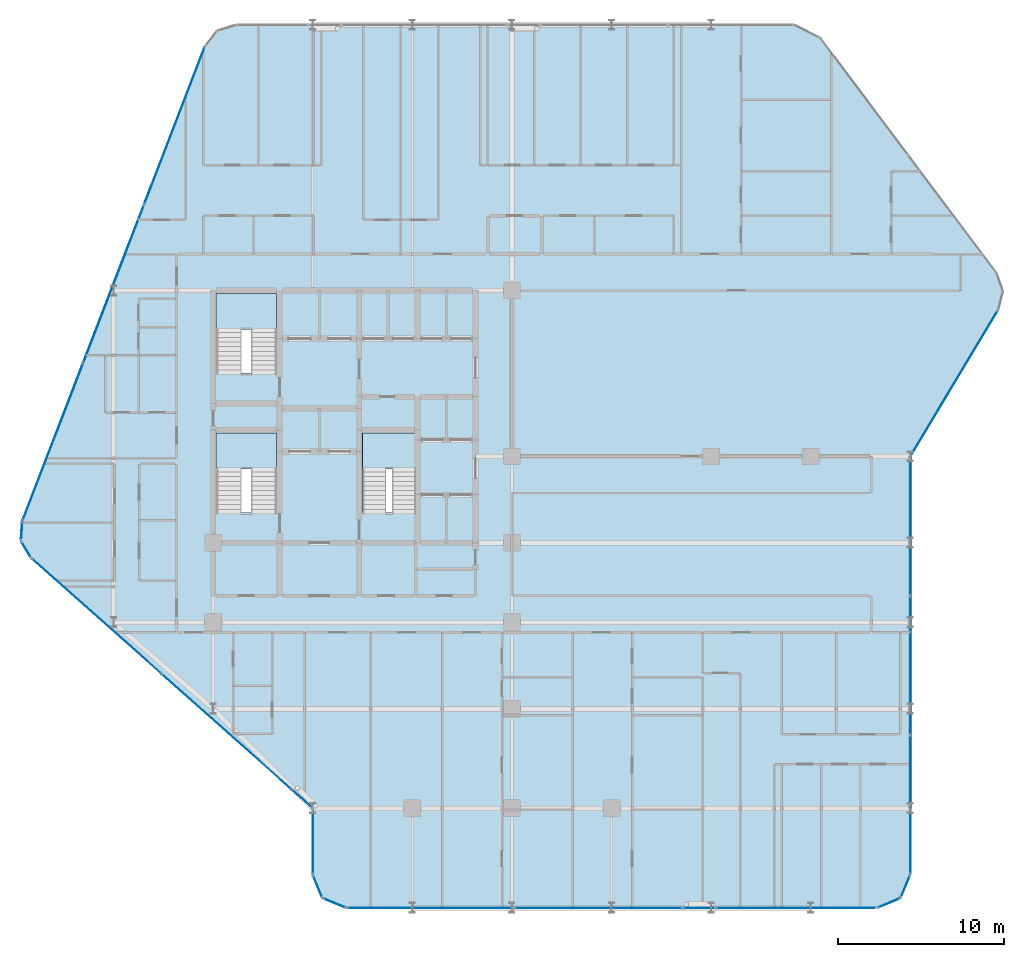
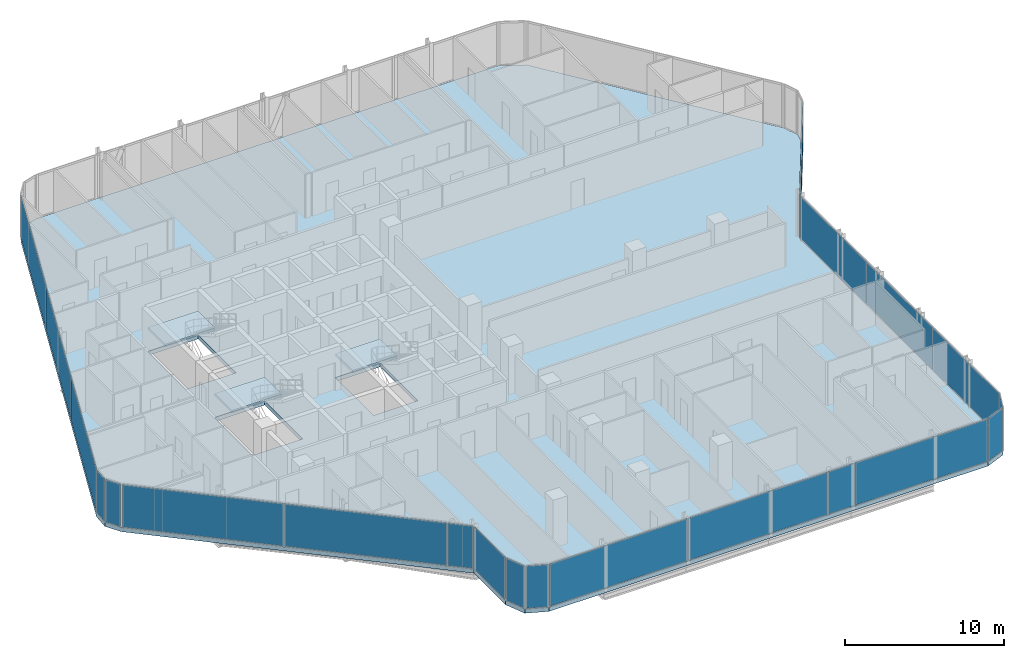
# One storey, part 22 of 30: 21 plates, 4 slabs, 18 elements without a shape of their own.
"""IFC4 building model written with IfcOpenShell, lengths in metres."""

from ifc_helpers import new_model, si_unit, direction, frame, origin, origin_2d, place, context, subcontext, project, spatial, polyline, rectangle, outline, extrude, material, layer, layer_set, type_object, element, aggregate, save


model = new_model("IFC4")

# Units and contexts
model_context = context("Model", 3, precision=1e-05, world=origin(), true_north=direction((0.0, 1.0)))
body_context = subcontext(model_context, "Body", "Model", "MODEL_VIEW")
ifc_project = project(units=[si_unit("LENGTHUNIT", "METRE"), si_unit("AREAUNIT", "SQUARE_METRE"), si_unit("VOLUMEUNIT", "CUBIC_METRE"), si_unit("PLANEANGLEUNIT", "RADIAN"), si_unit("MASSUNIT", "GRAM", prefix="KILO")], contexts=[model_context])

# Site, building, storey
site_placement = place(None, origin())
site = spatial("IfcSite", under=ifc_project, at=site_placement, CompositionType="ELEMENT")
building_placement = place(site_placement, origin())
building = spatial("IfcBuilding", under=site, at=building_placement, Name="Keshet Zoharim Tower", CompositionType="ELEMENT")
storey_placement = place(building_placement, frame((0.0, 0.0, 113.10009765625)))
storey = spatial("IfcBuildingStorey", under=building, at=storey_placement, Name="L27", CompositionType="ELEMENT", Elevation=113.10009765625)

# Curtain wall, plate
ifc_material_1 = material(Name="Aluminium 6063-T6", Category="aluminium")
ifc_layer_1 = layer(ifc_material_1, 0.159912109375)
ifc_layer_set_1 = layer_set([ifc_layer_1], Name="Aluminium 6063-T6")
curtain_wall_type = type_object("IfcCurtainWallType", Name="CW-SYS-03", PredefinedType="NOTDEFINED", material=ifc_layer_set_1)
curtain_wall_1_placement = place(storey_placement, origin())
curtain_wall_1 = element("IfcCurtainWall", 1, at=curtain_wall_1_placement, inside=storey, type_object=curtain_wall_type, Name="L27 Unitised Curtain Wall 01", PredefinedType="NOTDEFINED")
ifc_material_2 = material(Name="Insulated Low-E Clear Glass", Category="glass")
ifc_layer_2 = layer(ifc_material_2, 0.035888671875)
ifc_layer_set_2 = layer_set([ifc_layer_2], Name="Insulated Low-E Clear Glass")
plate_type_1 = type_object("IfcPlateType", Name="CWP-01", PredefinedType="CURTAIN_PANEL", material=ifc_layer_set_2)
plate_1_placement = place(storey_placement, frame((56.70703125, 1.992919921875, 0.06982421875), z_axis=(0.0, 0.0, 1.0), x_axis=(-0.382851849847, -0.92380975372, 0.0)))
plate_1 = element("IfcPlate", 2, at=plate_1_placement, type_object=plate_type_1, Name="CW-03 panel 1.1", PredefinedType="CURTAIN_PANEL", context=body_context, shape_type="SweptSolid", body=[
    extrude(rectangle(XDim=1.390625, YDim=0.035888671875, at=origin_2d()), origin(), (0.0, 0.0, 1.0), 3.2451171875),
])
aggregate(curtain_wall_1, [plate_1])

curtain_wall_2_placement = place(storey_placement, origin())
curtain_wall_2 = element("IfcCurtainWall", 3, at=curtain_wall_2_placement, inside=storey, type_object=curtain_wall_type, Name="L27 Unitised Curtain Wall 02", PredefinedType="NOTDEFINED")
plate_2_placement = place(storey_placement, frame((55.70703125, 0.992919921875, 0.06982421875), z_axis=(0.0, 0.0, 1.0), x_axis=(-0.92380975372, -0.382851849847, 0.0)))
plate_2 = element("IfcPlate", 4, at=plate_2_placement, type_object=plate_type_1, Name="CW-03 panel 1.1", PredefinedType="CURTAIN_PANEL", context=body_context, shape_type="SweptSolid", body=[
    extrude(rectangle(XDim=1.390625, YDim=0.035888671875, at=origin_2d()), origin(), (0.0, 0.0, 1.0), 3.2451171875),
])
aggregate(curtain_wall_2, [plate_2])

curtain_wall_3_placement = place(storey_placement, origin())
curtain_wall_3 = element("IfcCurtainWall", 5, at=curtain_wall_3_placement, inside=storey, type_object=curtain_wall_type, Name="L27 Unitised Curtain Wall 03", PredefinedType="NOTDEFINED")
plate_3_placement = place(storey_placement, frame((50.1240234375, 0.699951171875, 0.06982421875), z_axis=(0.0, 0.0, 1.0), x_axis=(-1.0, 0.0, 0.0)))
plate_3 = element("IfcPlate", 6, at=plate_3_placement, type_object=plate_type_1, Name="CW-03 panel 1.1", PredefinedType="CURTAIN_PANEL", context=body_context, shape_type="SweptSolid", body=[
    extrude(rectangle(XDim=9.61181640625, YDim=0.035888671875, at=origin_2d()), origin(), (0.0, 0.0, 1.0), 3.2451171875),
])
aggregate(curtain_wall_3, [plate_3])

# Curtain wall, plates
curtain_wall_4_placement = place(storey_placement, origin())
curtain_wall_4 = element("IfcCurtainWall", 7, at=curtain_wall_4_placement, inside=storey, type_object=curtain_wall_type, Name="L27 Unitised Curtain Wall 03 Part 3", PredefinedType="NOTDEFINED")
plate_4_placement = place(storey_placement, frame((38.20654296875, 0.699951171875, 0.06982421875), z_axis=(0.0, 0.0, 1.0), x_axis=(-1.0, 0.0, 0.0)))
plate_4 = element("IfcPlate", 8, at=plate_4_placement, type_object=plate_type_1, Name="CW-03 panel 1.1", PredefinedType="CURTAIN_PANEL", context=body_context, shape_type="SweptSolid", body=[
    extrude(rectangle(XDim=10.091064453125, YDim=0.035888671875, at=origin_2d()), origin(), (0.0, 0.0, 1.0), 3.2451171875),
])
plate_5_placement = place(storey_placement, frame((28.08056640625, 0.699951171875, 0.06982421875), z_axis=(0.0, 0.0, 1.0), x_axis=(-1.0, 0.0, 0.0)))
plate_5 = element("IfcPlate", 9, at=plate_5_placement, type_object=plate_type_1, Name="CW-03 panel 2.1", PredefinedType="CURTAIN_PANEL", context=body_context, shape_type="SweptSolid", body=[
    extrude(rectangle(XDim=10.02099609375, YDim=0.035888671875, at=origin_2d()), origin(), (0.0, 0.0, 1.0), 3.2451171875),
])
aggregate(curtain_wall_4, [plate_4, plate_5])

# Curtain wall, plate
curtain_wall_5_placement = place(storey_placement, origin())
curtain_wall_5 = element("IfcCurtainWall", 10, at=curtain_wall_5_placement, inside=storey, type_object=curtain_wall_type, Name="L27 Unitised Curtain Wall 04", PredefinedType="NOTDEFINED")
plate_6_placement = place(storey_placement, frame((22.29296875, 0.992919921875, 0.06982421875), z_axis=(0.0, 0.0, 1.0), x_axis=(-0.92380975372, 0.382851849847, 0.0)))
plate_6 = element("IfcPlate", 11, at=plate_6_placement, type_object=plate_type_1, Name="CW-03 panel 1.1", PredefinedType="CURTAIN_PANEL", context=body_context, shape_type="SweptSolid", body=[
    extrude(rectangle(XDim=1.390625, YDim=0.035888671875, at=origin_2d()), origin(), (0.0, 0.0, 1.0), 3.2451171875),
])
aggregate(curtain_wall_5, [plate_6])

curtain_wall_6_placement = place(storey_placement, origin())
curtain_wall_6 = element("IfcCurtainWall", 12, at=curtain_wall_6_placement, inside=storey, type_object=curtain_wall_type, Name="L27 Unitised Curtain Wall 05", PredefinedType="NOTDEFINED")
plate_7_placement = place(storey_placement, frame((21.29296875, 1.992919921875, 0.06982421875), z_axis=(0.0, 0.0, 1.0), x_axis=(-0.382851849847, 0.92380975372, 0.0)))
plate_7 = element("IfcPlate", 13, at=plate_7_placement, type_object=plate_type_1, Name="CW-03 panel 1.1", PredefinedType="CURTAIN_PANEL", context=body_context, shape_type="SweptSolid", body=[
    extrude(rectangle(XDim=1.390625, YDim=0.035888671875, at=origin_2d()), origin(), (0.0, 0.0, 1.0), 3.2451171875),
])
aggregate(curtain_wall_6, [plate_7])

curtain_wall_7_placement = place(storey_placement, origin())
curtain_wall_7 = element("IfcCurtainWall", 14, at=curtain_wall_7_placement, inside=storey, type_object=curtain_wall_type, Name="L27 Unitised Curtain Wall 06", PredefinedType="NOTDEFINED")
plate_8_placement = place(storey_placement, frame((21.0, 4.699951171875, 0.06982421875), z_axis=(0.0, 0.0, 1.0), x_axis=(0.0, 1.0, 0.0)))
plate_8 = element("IfcPlate", 15, at=plate_8_placement, type_object=plate_type_1, Name="CW-03 panel 1.1", PredefinedType="CURTAIN_PANEL", context=body_context, shape_type="SweptSolid", body=[
    extrude(rectangle(XDim=3.860107421875, YDim=0.035888671875, at=origin_2d()), origin(), (0.0, 0.0, 1.0), 3.2451171875),
])
aggregate(curtain_wall_7, [plate_8])

# Curtain wall, plates
curtain_wall_8_placement = place(storey_placement, origin())
curtain_wall_8 = element("IfcCurtainWall", 16, at=curtain_wall_8_placement, inside=storey, type_object=curtain_wall_type, Name="L27 Unitised Curtain Wall 07 Part 2", PredefinedType="NOTDEFINED")
plate_9_placement = place(storey_placement, frame((15.793212890625, 11.328369140625, 0.06982421875), z_axis=(0.0, 0.0, 1.0), x_axis=(-0.747411161917, 0.664361765187, 0.0)))
plate_9 = element("IfcPlate", 17, at=plate_9_placement, type_object=plate_type_1, Name="CW-03 panel 1.1", PredefinedType="CURTAIN_PANEL", context=body_context, shape_type="SweptSolid", body=[
    extrude(rectangle(XDim=10.44140625, YDim=0.035888671875, at=origin_2d()), origin(), (0.0, 0.0, 1.0), 3.2451171875),
])
plate_10_placement = place(storey_placement, frame((7.963134765625, 18.288330078125, 0.06982421875), z_axis=(0.0, 0.0, 1.0), x_axis=(-0.747411161917, 0.664361765187, 0.0)))
plate_10 = element("IfcPlate", 18, at=plate_10_placement, type_object=plate_type_1, Name="CW-03 panel 2.1", PredefinedType="CURTAIN_PANEL", context=body_context, shape_type="SweptSolid", body=[
    extrude(rectangle(XDim=10.371337890625, YDim=0.035888671875, at=origin_2d()), origin(), (0.0, 0.0, 1.0), 3.2451171875),
])
aggregate(curtain_wall_8, [plate_9, plate_10])

# Curtain wall, plate
curtain_wall_9_placement = place(storey_placement, origin())
curtain_wall_9 = element("IfcCurtainWall", 19, at=curtain_wall_9_placement, inside=storey, type_object=curtain_wall_type, Name="L27 Unitised Curtain Wall 08", PredefinedType="NOTDEFINED")
plate_11_placement = place(storey_placement, frame((3.7275390625, 22.291015625, 0.06982421875), z_axis=(0.0, 0.0, 1.0), x_axis=(-0.515604947933, 0.856826433805, 0.0)))
plate_11 = element("IfcPlate", 20, at=plate_11_placement, type_object=plate_type_1, Name="CW-03 panel 1.1", PredefinedType="CURTAIN_PANEL", context=body_context, shape_type="SweptSolid", body=[
    extrude(rectangle(XDim=1.052734375, YDim=0.035888671875, at=origin_2d()), origin(), (0.0, 0.0, 1.0), 3.2451171875),
])
aggregate(curtain_wall_9, [plate_11])

curtain_wall_10_placement = place(storey_placement, origin())
curtain_wall_10 = element("IfcCurtainWall", 21, at=curtain_wall_10_placement, inside=storey, type_object=curtain_wall_type, Name="L27 Unitised Curtain Wall 09", PredefinedType="NOTDEFINED")
plate_12_placement = place(storey_placement, frame((3.45849609375, 23.3974609375, 0.06982421875), z_axis=(0.0, 0.0, 1.0), x_axis=(0.064516859374, 0.997916617186, 0.0)))
plate_12 = element("IfcPlate", 22, at=plate_12_placement, type_object=plate_type_1, Name="CW-03 panel 1.1", PredefinedType="CURTAIN_PANEL", context=body_context, shape_type="SweptSolid", body=[
    extrude(rectangle(XDim=1.053466796875, YDim=0.035888671875, at=origin_2d()), origin(), (0.0, 0.0, 1.0), 3.2451171875),
])
aggregate(curtain_wall_10, [plate_12])

# Curtain wall, plates
curtain_wall_11_placement = place(storey_placement, origin())
curtain_wall_11 = element("IfcCurtainWall", 23, at=curtain_wall_11_placement, inside=storey, type_object=curtain_wall_type, Name="L27 Unitised Curtain Wall 10", PredefinedType="NOTDEFINED")
plate_13_placement = place(storey_placement, frame((5.33837890625, 28.7802734375, 0.06982421875), z_axis=(0.0, 0.0, 1.0), x_axis=(0.358990003907, 0.933341404361, 0.0)))
plate_13 = element("IfcPlate", 24, at=plate_13_placement, type_object=plate_type_1, Name="CW-03 panel 1.1", PredefinedType="CURTAIN_PANEL", context=body_context, shape_type="SweptSolid", body=[
    extrude(rectangle(XDim=10.1181640625, YDim=0.035888671875, at=origin_2d()), origin(), (0.0, 0.0, 1.0), 3.2451171875),
])
plate_14_placement = place(storey_placement, frame((9.001953125, 38.305419921875, 0.06982421875), z_axis=(0.0, 0.0, 1.0), x_axis=(0.358990003907, 0.933341404361, 0.0)))
plate_14 = element("IfcPlate", 25, at=plate_14_placement, type_object=plate_type_1, Name="CW-03 panel 2.1", PredefinedType="CURTAIN_PANEL", context=body_context, shape_type="SweptSolid", body=[
    extrude(rectangle(XDim=10.153076171875, YDim=0.035888671875, at=origin_2d()), origin(), (0.0, 0.0, 1.0), 3.2451171875),
])
plate_15_placement = place(storey_placement, frame((12.665771484375, 47.830810546875, 0.06982421875), z_axis=(0.0, 0.0, 1.0), x_axis=(0.358990003907, 0.933341404361, 0.0)))
plate_15 = element("IfcPlate", 26, at=plate_15_placement, type_object=plate_type_1, Name="CW-03 panel 3.1", PredefinedType="CURTAIN_PANEL", context=body_context, shape_type="SweptSolid", body=[
    extrude(rectangle(XDim=10.1181640625, YDim=0.035888671875, at=origin_2d()), origin(), (0.0, 0.0, 1.0), 3.2451171875),
])
aggregate(curtain_wall_11, [plate_13, plate_14, plate_15])

# Curtain wall, plate
curtain_wall_12_placement = place(storey_placement, origin())
curtain_wall_12 = element("IfcCurtainWall", 27, at=curtain_wall_12_placement, inside=storey, type_object=curtain_wall_type, Name="L27 Unitised Curtain Wall 18", PredefinedType="NOTDEFINED")
plate_16_placement = place(storey_placement, frame((59.654052734375, 32.323486328125, 0.06982421875), z_axis=(0.0, 0.0, 1.0), x_axis=(-0.514481501576, -0.857501477862, 0.0)))
plate_16 = element("IfcPlate", 28, at=plate_16_placement, type_object=plate_type_1, Name="CW-03 panel 1.1", PredefinedType="CURTAIN_PANEL", context=body_context, shape_type="SweptSolid", body=[
    extrude(rectangle(XDim=10.17724609375, YDim=0.035888671875, at=origin_2d()), origin(), (0.0, 0.0, 1.0), 3.2451171875),
])
aggregate(curtain_wall_12, [plate_16])

# Curtain wall, plates
curtain_wall_13_placement = place(storey_placement, origin())
curtain_wall_13 = element("IfcCurtainWall", 29, at=curtain_wall_13_placement, inside=storey, type_object=curtain_wall_type, Name="L27 Unitised Curtain Wall 19", PredefinedType="NOTDEFINED")
ifc_layer_3 = layer(ifc_material_2, 0.031982421875)
ifc_layer_set_3 = layer_set([ifc_layer_3], Name="Insulated Low-E Clear Glass")
plate_type_2 = type_object("IfcPlateType", Name="CWP-02", PredefinedType="CURTAIN_PANEL", material=ifc_layer_set_3)
plate_17_placement = place(storey_placement, frame((57.0, 23.6826171875, 0.06982421875), z_axis=(0.0, 0.0, 1.0), x_axis=(0.0, -1.0, 0.0)))
plate_17 = element("IfcPlate", 30, at=plate_17_placement, type_object=plate_type_2, Name="CW-03 panel 1.1", PredefinedType="CURTAIN_PANEL", context=body_context, shape_type="SweptSolid", body=[
    extrude(rectangle(XDim=8.294921875, YDim=0.031982421875, at=origin_2d()), origin(), (0.0, 0.0, 1.0), 3.2451171875),
])
plate_18_placement = place(storey_placement, frame((57.0, 15.300048828125, 0.06982421875), z_axis=(0.0, 0.0, 1.0), x_axis=(0.0, -1.0, 0.0)))
plate_18 = element("IfcPlate", 31, at=plate_18_placement, type_object=plate_type_2, Name="CW-03 panel 2.1", PredefinedType="CURTAIN_PANEL", context=body_context, shape_type="SweptSolid", body=[
    extrude(rectangle(XDim=8.330078125, YDim=0.031982421875, at=origin_2d()), origin(), (0.0, 0.0, 1.0), 3.2451171875),
])
plate_19_placement = place(storey_placement, frame((57.0, 6.91748046875, 0.06982421875), z_axis=(0.0, 0.0, 1.0), x_axis=(0.0, -1.0, 0.0)))
plate_19 = element("IfcPlate", 32, at=plate_19_placement, type_object=plate_type_2, Name="CW-03 panel 3.1", PredefinedType="CURTAIN_PANEL", context=body_context, shape_type="SweptSolid", body=[
    extrude(rectangle(XDim=8.294921875, YDim=0.031982421875, at=origin_2d()), origin(), (0.0, 0.0, 1.0), 3.2451171875),
])
aggregate(curtain_wall_13, [plate_17, plate_18, plate_19])

# Curtain wall, plate
curtain_wall_14_placement = place(storey_placement, origin())
curtain_wall_14 = element("IfcCurtainWall", 33, at=curtain_wall_14_placement, inside=storey, type_object=curtain_wall_type, Name="L27 Unitised Curtain Wall 03 Part 2", PredefinedType="NOTDEFINED")
ifc_material_3 = material(Name="Insulated Aluminium Spandrel Panel", Category="aluminium")
ifc_layer_4 = layer(ifc_material_3, 0.035888671875)
ifc_layer_set_4 = layer_set([ifc_layer_4], Name="Insulated Aluminium Spandrel Panel")
plate_type_3 = type_object("IfcPlateType", Name="CWP-04", PredefinedType="CURTAIN_PANEL", material=ifc_layer_set_4)
plate_20_placement = place(storey_placement, frame((44.284912109375, 0.699951171875, 0.06982421875), z_axis=(0.0, 0.0, 1.0), x_axis=(-1.0, 0.0, 0.0)))
plate_20 = element("IfcPlate", 34, at=plate_20_placement, type_object=plate_type_3, Name="CW-03 spandrel panel 1.1", PredefinedType="CURTAIN_PANEL", context=body_context, shape_type="SweptSolid", body=[
    extrude(rectangle(XDim=1.92626953125, YDim=0.035888671875, at=origin_2d()), origin(), (0.0, 0.0, 1.0), 3.2451171875),
])
aggregate(curtain_wall_14, [plate_20])

curtain_wall_15_placement = place(storey_placement, origin())
curtain_wall_15 = element("IfcCurtainWall", 35, at=curtain_wall_15_placement, inside=storey, type_object=curtain_wall_type, Name="L27 Unitised Curtain Wall 07", PredefinedType="NOTDEFINED")
plate_21_placement = place(storey_placement, frame((20.34765625, 7.280029296875, 0.06982421875), z_axis=(0.0, 0.0, 1.0), x_axis=(-0.747387196403, 0.664388725561, 0.0)))
plate_21 = element("IfcPlate", 36, at=plate_21_placement, type_object=plate_type_3, Name="CW-03 spandrel panel 1.1", PredefinedType="CURTAIN_PANEL", context=body_context, shape_type="SweptSolid", body=[
    extrude(rectangle(XDim=1.605712890625, YDim=0.035888671875, at=origin_2d()), origin(), (0.0, 0.0, 1.0), 3.2451171875),
])
aggregate(curtain_wall_15, [plate_21])

# Stair, slab
ifc_material_4 = material(Name="Concrete C50/60", Category="concrete")
stair_type = type_object("IfcStairType", Name="STR-EXIT-135", PredefinedType="HALF_TURN_STAIR", material=ifc_material_4)
stair_1_placement = place(storey_placement, origin())
stair_1 = element("IfcStair", 37, at=stair_1_placement, inside=storey, type_object=stair_type, Name="L27 Enclosed Exit Stair ST-01", PredefinedType="HALF_TURN_STAIR")
ifc_layer_5 = layer(ifc_material_4, 0.199951171875)
ifc_layer_set_5 = layer_set([ifc_layer_5], Name="Concrete C50/60")
slab_type_1 = type_object("IfcSlabType", Name="SLB-LND-200", PredefinedType="LANDING", material=ifc_layer_set_5)
slab_1_placement = place(storey_placement, frame((0.0, 0.0, 1.64990234375)))
slab_1 = element("IfcSlab", 38, at=slab_1_placement, type_object=slab_type_1, Name="ST-01 landing 1", PredefinedType="LANDING", context=body_context, shape_type="SweptSolid", body=[
    extrude(outline(polyline([(15.179931640625, 27.159912109375), (18.820068359375, 27.159912109375), (18.820068359375, 29.320068359375), (15.179931640625, 29.320068359375), (15.179931640625, 27.159912109375)])), origin(), (0.0, 0.0, 1.0), 0.199951171875),
])
aggregate(stair_1, [slab_1])

stair_2_placement = place(storey_placement, origin())
stair_2 = element("IfcStair", 39, at=stair_2_placement, inside=storey, type_object=stair_type, Name="L27 Enclosed Exit Stair ST-02", PredefinedType="HALF_TURN_STAIR")
slab_2_placement = place(storey_placement, frame((0.0, 0.0, 1.64990234375)))
slab_2 = element("IfcSlab", 40, at=slab_2_placement, type_object=slab_type_1, Name="ST-02 landing 1", PredefinedType="LANDING", context=body_context, shape_type="SweptSolid", body=[
    extrude(outline(polyline([(15.179931640625, 35.56005859375), (18.820068359375, 35.56005859375), (18.820068359375, 37.719970703125), (15.179931640625, 37.719970703125), (15.179931640625, 35.56005859375)])), origin(), (0.0, 0.0, 1.0), 0.199951171875),
])
aggregate(stair_2, [slab_2])

stair_3_placement = place(storey_placement, origin())
stair_3 = element("IfcStair", 41, at=stair_3_placement, inside=storey, type_object=stair_type, Name="L27 Enclosed Exit Stair ST-03", PredefinedType="HALF_TURN_STAIR")
slab_3_placement = place(storey_placement, frame((0.0, 0.0, 1.64990234375)))
slab_3 = element("IfcSlab", 42, at=slab_3_placement, type_object=slab_type_1, Name="ST-03 landing 1", PredefinedType="LANDING", context=body_context, shape_type="SweptSolid", body=[
    extrude(outline(polyline([(23.97998046875, 27.159912109375), (27.219970703125, 27.159912109375), (27.219970703125, 29.320068359375), (23.97998046875, 29.320068359375), (23.97998046875, 27.159912109375)])), origin(), (0.0, 0.0, 1.0), 0.199951171875),
])
aggregate(stair_3, [slab_3])

# Slab
ifc_layer_6 = layer(ifc_material_4, 0.31494140625)
ifc_layer_set_6 = layer_set([ifc_layer_6], Name="Concrete C50/60")
slab_type_2 = type_object("IfcSlabType", Name="SLB-LOW-260", PredefinedType="FLOOR", material=ifc_layer_set_6)
slab_4_placement = place(storey_placement, frame((0.0, 0.0, -0.315185546875)))
element("IfcSlab", 43, at=slab_4_placement, inside=storey, type_object=slab_type_2, Name="L27 Structural Floor Slab 1", PredefinedType="FLOOR", context=body_context, shape_type="SweptSolid", body=[
    extrude(outline(polyline([(57.0, 2.699951171875), (56.4140625, 1.285888671875), (55.0, 0.699951171875), (23.0, 0.699951171875), (21.5859375, 1.285888671875), (21.0, 2.699951171875), (21.0, 6.699951171875), (4.034912109375, 21.780029296875), (3.419921875, 22.802001953125), (3.4970703125, 23.992919921875), (14.507080078125, 52.617919921875), (15.240966796875, 53.549072265625), (16.3740234375, 53.89990234375), (50.0, 53.89990234375), (51.60009765625, 53.10009765625), (62.193115234375, 38.97607421875), (62.590087890625, 37.87890625), (62.30810546875, 36.7470703125), (57.0, 27.89990234375), (57.0, 2.699951171875)]), holes=[polyline([(15.179931640625, 24.52001953125), (18.820068359375, 24.52001953125), (18.820068359375, 29.320068359375), (15.179931640625, 29.320068359375), (15.179931640625, 24.52001953125)]), polyline([(15.179931640625, 32.919921875), (18.820068359375, 32.919921875), (18.820068359375, 37.719970703125), (15.179931640625, 37.719970703125), (15.179931640625, 32.919921875)]), polyline([(23.97998046875, 24.52001953125), (27.219970703125, 24.52001953125), (27.219970703125, 29.320068359375), (23.97998046875, 29.320068359375), (23.97998046875, 24.52001953125)])]), origin(), (0.0, 0.0, 1.0), 0.315185546875),
])

save(model, "model.ifc")
